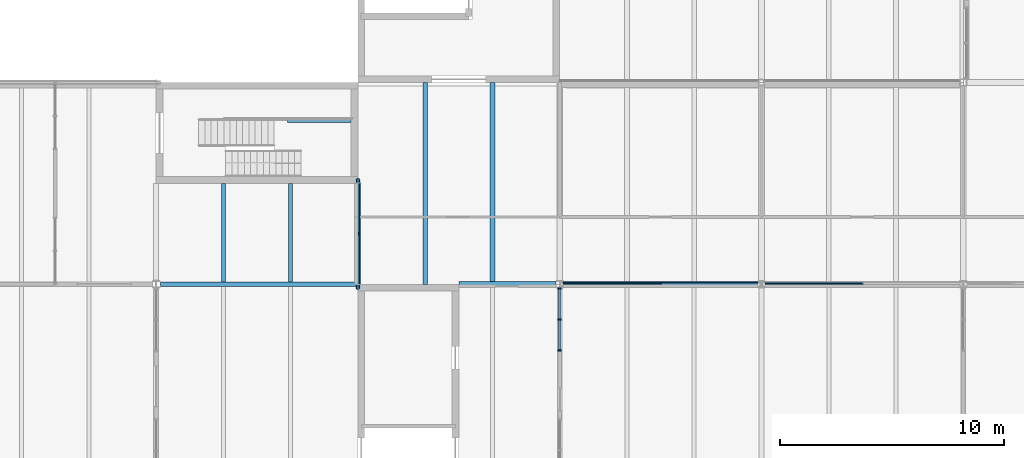
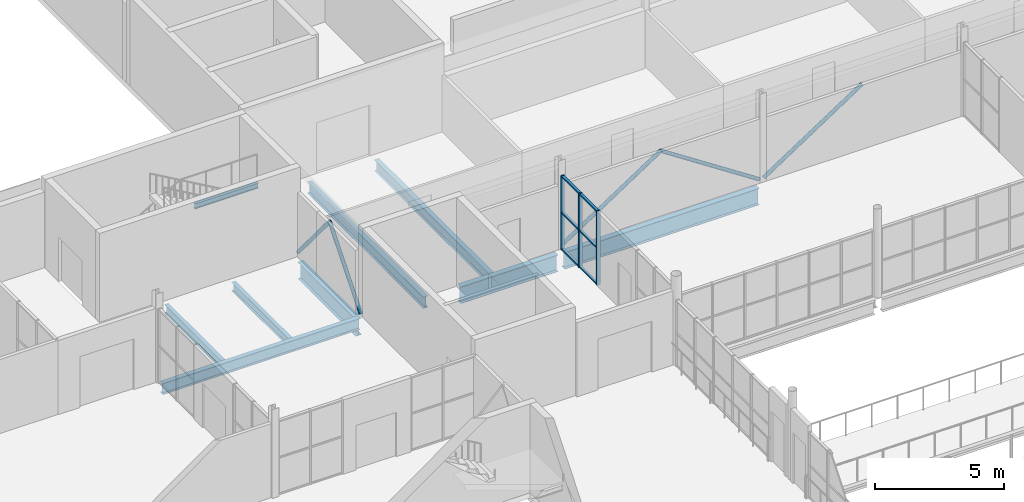
# One storey, part 28 of 61: 14 members, 9 beams, 1 element without a shape of its own.
"""IFC4 building model written with IfcOpenShell, lengths in metres."""

from ifc_helpers import new_model, si_unit, direction, frame, origin, origin_2d, place, context, subcontext, project, spatial, rectangle, hollow_circle, i_section, extrude, material, layer, layer_set, material_profile, profile_set, type_object, element, aggregate, save


model = new_model("IFC4")

# Units and contexts
model_context = context("Model", 3, precision=1e-05, world=origin(), true_north=direction((0.0, 1.0)))
body_context = subcontext(model_context, "Body", "Model", "MODEL_VIEW")
ifc_project = project(units=[si_unit("LENGTHUNIT", "METRE"), si_unit("AREAUNIT", "SQUARE_METRE"), si_unit("VOLUMEUNIT", "CUBIC_METRE"), si_unit("PLANEANGLEUNIT", "RADIAN"), si_unit("MASSUNIT", "GRAM", prefix="KILO")], contexts=[model_context])

# Site, building, storey
site_placement = place(None, origin())
site = spatial("IfcSite", under=ifc_project, at=site_placement, CompositionType="ELEMENT")
building_placement = place(site_placement, origin())
building = spatial("IfcBuilding", under=site, at=building_placement, Name="Halyard Row Museum", CompositionType="ELEMENT")
storey_placement = place(building_placement, frame((0.0, 0.0, 9.199951171875)))
storey = spatial("IfcBuildingStorey", under=building, at=storey_placement, Name="L02", CompositionType="ELEMENT", Elevation=9.199951171875)

# Members
ifc_material_1 = material(Name="Steel Grade C350L0", Category="steel")
ifc_material_profile_1 = material_profile(ifc_material_1, hollow_circle(Radius=0.084228515625, WallThickness=0.007080078125, at=origin_2d()), Name="168.3x7.1CHS")
ifc_profile_set_1 = profile_set([ifc_material_profile_1], Name="Steel Grade C350L0")
member_type_1 = type_object("IfcMemberType", Name="Brace 168.3x7.1CHS", PredefinedType="BRACE", material=ifc_profile_set_1)
for number, where, z_axis, x_axis, name in (
    (1, (72.0, 35.830078125, 0.084228515625), (0.0, 0.640387731415, 0.768051790866), (-1.0, 0.0, 0.0), "Brace L02 X72 36-40.5 A"),
    (2, (72.0, 40.669921875, 0.084228515625), (0.0, -0.640387731415, 0.768051790866), (1.0, 0.0, 0.0), "Brace L02 X72 36-40.5 B"),
):
    element("IfcMember", number, at=place(storey_placement, frame(where, z_axis=z_axis, x_axis=x_axis)), inside=storey, type_object=member_type_1, Name=name, PredefinedType="BRACE", context=body_context, shape_type="SweptSolid", body=[
        extrude(hollow_circle(Radius=0.084228515625, WallThickness=0.007080078125, at=origin_2d()), origin(), (0.0, 0.0, 1.0), 3.77880859375),
    ])
member_1_placement = place(storey_placement, frame((81.1044921875, 36.0, 0.084228515625), z_axis=(0.835922766235, 0.0, 0.548847090628), x_axis=(0.0, 1.0, 0.0)))
element("IfcMember", 3, at=member_1_placement, inside=storey, type_object=member_type_1, Name="Brace L02 Y36 81-90 A", PredefinedType="BRACE", context=body_context, shape_type="SweptSolid", body=[
    extrude(hollow_circle(Radius=0.084228515625, WallThickness=0.007080078125, at=origin_2d()), origin(), (0.0, 0.0, 1.0), 5.25830078125),
])
for number, where, z_axis, x_axis, name in (
    (4, (89.8974609375, 36.0, 0.084228515625), (-0.83603460378, 0.0, 0.54867671837), (0.0, -1.0, 0.0), "Brace L02 Y36 81-90 B"),
    (5, (90.1025390625, 36.0, 0.084228515625), (0.83603460378, 0.0, 0.54867671837), (0.0, 1.0, 0.0), "Brace L02 Y36 90-99 A"),
):
    element("IfcMember", number, at=place(storey_placement, frame(where, z_axis=z_axis, x_axis=x_axis)), inside=storey, type_object=member_type_1, Name=name, PredefinedType="BRACE", context=body_context, shape_type="SweptSolid", body=[
        extrude(hollow_circle(Radius=0.084228515625, WallThickness=0.007080078125, at=origin_2d()), origin(), (0.0, 0.0, 1.0), 5.260009765625),
    ])

# Curtain wall, members
ifc_material_2 = material(Name="Fire-resisting laminated glazing", Category="glass")
ifc_layer = layer(ifc_material_2, 0.159912109375)
ifc_layer_set = layer_set([ifc_layer], Name="Fire-resisting laminated glazing")
curtain_wall_type = type_object("IfcCurtainWallType", Name="Curtain wall atrium screen 160 deep", PredefinedType="NOTDEFINED", material=ifc_layer_set)
curtain_wall_placement = place(storey_placement, origin())
curtain_wall = element("IfcCurtainWall", 6, at=curtain_wall_placement, inside=storey, type_object=curtain_wall_type, Name="Curtain wall CW173", PredefinedType="NOTDEFINED")
ifc_material_3 = material(Name="Powder-coated aluminium section", Category="aluminium")
ifc_material_profile_2 = material_profile(ifc_material_3, rectangle(XDim=0.159912109375, YDim=0.06005859375, at=origin_2d()), Name="160x60 mullion")
ifc_profile_set_2 = profile_set([ifc_material_profile_2], Name="Powder-coated aluminium section")
member_type_2 = type_object("IfcMemberType", Name="Curtain wall mullion CM5 60 x 160", PredefinedType="MULLION", material=ifc_profile_set_2)
member_2_placement = place(storey_placement, frame((81.0, 33.051513671875, 0.0), z_axis=(0.0, 0.0, 1.0), x_axis=(-1.0, 0.0, 0.0)))
member_2 = element("IfcMember", 7, at=member_2_placement, type_object=member_type_2, Name="CW173 mullion 1", PredefinedType="MULLION", context=body_context, shape_type="SweptSolid", body=[
    extrude(rectangle(XDim=0.159912109375, YDim=0.06005859375, at=origin_2d()), origin(), (0.0, 0.0, 1.0), 3.501953125),
])
member_3_placement = place(storey_placement, frame((81.0, 34.4306640625, 0.0), z_axis=(0.0, 0.0, 1.0), x_axis=(-1.0, 0.0, 0.0)))
member_3 = element("IfcMember", 8, at=member_3_placement, type_object=member_type_2, Name="CW173 mullion 2", PredefinedType="MULLION", context=body_context, shape_type="SweptSolid", body=[
    extrude(rectangle(XDim=0.159912109375, YDim=0.06005859375, at=origin_2d()), origin(), (0.0, 0.0, 1.0), 3.501953125),
])
member_4_placement = place(storey_placement, frame((81.0, 35.809814453125, 0.0), z_axis=(0.0, 0.0, 1.0), x_axis=(-1.0, 0.0, 0.0)))
member_4 = element("IfcMember", 9, at=member_4_placement, type_object=member_type_2, Name="CW173 mullion 3", PredefinedType="MULLION", context=body_context, shape_type="SweptSolid", body=[
    extrude(rectangle(XDim=0.159912109375, YDim=0.06005859375, at=origin_2d()), origin(), (0.0, 0.0, 1.0), 3.501953125),
])
ifc_material_4 = material(Name="Powder-coated aluminium section", Category="aluminium")
ifc_material_profile_3 = material_profile(ifc_material_4, rectangle(XDim=0.1201171875, YDim=0.06005859375, at=origin_2d()), Name="120x60 transom")
ifc_profile_set_3 = profile_set([ifc_material_profile_3], Name="Powder-coated aluminium section")
member_type_3 = type_object("IfcMemberType", Name="Curtain wall transom CT5 60 x 120", PredefinedType="USERDEFINED", material=ifc_profile_set_3)
member_5_placement = place(storey_placement, frame((81.0, 33.08154296875, 0.030029296875), z_axis=(0.0, 1.0, 0.0), x_axis=(-1.0, 0.0, 0.0)))
member_5 = element("IfcMember", 10, at=member_5_placement, type_object=member_type_3, Name="CW173 transom 1.1", ObjectType="TRANSOM", PredefinedType="USERDEFINED", context=body_context, shape_type="SweptSolid", body=[
    extrude(rectangle(XDim=0.1201171875, YDim=0.06005859375, at=origin_2d()), origin(), (0.0, 0.0, 1.0), 1.319091796875),
])
member_6_placement = place(storey_placement, frame((81.0, 33.08154296875, 1.7509765625), z_axis=(0.0, 1.0, 0.0), x_axis=(-1.0, 0.0, 0.0)))
member_6 = element("IfcMember", 11, at=member_6_placement, type_object=member_type_3, Name="CW173 transom 1.2", ObjectType="TRANSOM", PredefinedType="USERDEFINED", context=body_context, shape_type="SweptSolid", body=[
    extrude(rectangle(XDim=0.1201171875, YDim=0.06005859375, at=origin_2d()), origin(), (0.0, 0.0, 1.0), 1.319091796875),
])
member_7_placement = place(storey_placement, frame((81.0, 33.08154296875, 3.47216796875), z_axis=(0.0, 1.0, 0.0), x_axis=(-1.0, 0.0, 0.0)))
member_7 = element("IfcMember", 12, at=member_7_placement, type_object=member_type_3, Name="CW173 transom 1.3", ObjectType="TRANSOM", PredefinedType="USERDEFINED", context=body_context, shape_type="SweptSolid", body=[
    extrude(rectangle(XDim=0.1201171875, YDim=0.06005859375, at=origin_2d()), origin(), (0.0, 0.0, 1.0), 1.319091796875),
])
member_8_placement = place(storey_placement, frame((81.0, 34.460693359375, 0.030029296875), z_axis=(0.0, 1.0, 0.0), x_axis=(-1.0, 0.0, 0.0)))
member_8 = element("IfcMember", 13, at=member_8_placement, type_object=member_type_3, Name="CW173 transom 2.1", ObjectType="TRANSOM", PredefinedType="USERDEFINED", context=body_context, shape_type="SweptSolid", body=[
    extrude(rectangle(XDim=0.1201171875, YDim=0.06005859375, at=origin_2d()), origin(), (0.0, 0.0, 1.0), 1.319091796875),
])
member_9_placement = place(storey_placement, frame((81.0, 34.460693359375, 1.7509765625), z_axis=(0.0, 1.0, 0.0), x_axis=(-1.0, 0.0, 0.0)))
member_9 = element("IfcMember", 14, at=member_9_placement, type_object=member_type_3, Name="CW173 transom 2.2", ObjectType="TRANSOM", PredefinedType="USERDEFINED", context=body_context, shape_type="SweptSolid", body=[
    extrude(rectangle(XDim=0.1201171875, YDim=0.06005859375, at=origin_2d()), origin(), (0.0, 0.0, 1.0), 1.319091796875),
])
member_10_placement = place(storey_placement, frame((81.0, 34.460693359375, 3.47216796875), z_axis=(0.0, 1.0, 0.0), x_axis=(-1.0, 0.0, 0.0)))
member_10 = element("IfcMember", 15, at=member_10_placement, type_object=member_type_3, Name="CW173 transom 2.3", ObjectType="TRANSOM", PredefinedType="USERDEFINED", context=body_context, shape_type="SweptSolid", body=[
    extrude(rectangle(XDim=0.1201171875, YDim=0.06005859375, at=origin_2d()), origin(), (0.0, 0.0, 1.0), 1.319091796875),
])
aggregate(curtain_wall, [member_2, member_3, member_4, member_5, member_6, member_7, member_8, member_9, member_10])

# Beams
ifc_material_5 = material(Name="Steel Grade 300", Category="steel")
ifc_material_profile_4 = material_profile(ifc_material_5, i_section(OverallWidth=0.208984375, OverallDepth=0.532958984375, WebThickness=0.01025390625, FlangeThickness=0.015625, FilletRadius=0.013916015625, at=origin_2d()), Name="530UB92.4")
ifc_profile_set_4 = profile_set([ifc_material_profile_4], Name="Steel Grade 300")
beam_type_1 = type_object("IfcBeamType", Name="Girder beam 530UB92.4", PredefinedType="BEAM", material=ifc_profile_set_4)
beam_1_placement = place(storey_placement, frame((63.199951171875, 36.0, -0.431396484375), z_axis=(1.0, 0.0, 0.0), x_axis=(0.0, 1.0, 0.0)))
element("IfcBeam", 16, at=beam_1_placement, inside=storey, type_object=beam_type_1, Name="Beam L02-030", PredefinedType="BEAM", context=body_context, shape_type="SweptSolid", body=[
    extrude(i_section(OverallWidth=0.208984375, OverallDepth=0.532958984375, WebThickness=0.01025390625, FlangeThickness=0.015625, FilletRadius=0.013916015625, at=origin_2d()), origin(), (0.0, 0.0, 1.0), 8.800048828125),
])
ifc_material_6 = material(Name="Steel Grade 300", Category="steel")
ifc_material_profile_5 = material_profile(ifc_material_6, i_section(OverallWidth=0.25, OverallDepth=0.7919921875, WebThickness=0.010009765625, FlangeThickness=0.01611328125, at=origin_2d()), Name="800WB122")
ifc_profile_set_5 = profile_set([ifc_material_profile_5], Name="Steel Grade 300")
beam_type_2 = type_object("IfcBeamType", Name="Girder beam 800WB122 (lowered 85)", PredefinedType="BEAM", material=ifc_profile_set_5)
beam_2_placement = place(storey_placement, frame((76.5, 36.0, -0.64599609375), z_axis=(1.0, 0.0, 0.0), x_axis=(0.0, 1.0, 0.0)))
element("IfcBeam", 17, at=beam_2_placement, inside=storey, type_object=beam_type_2, Name="Beam L02-031", PredefinedType="BEAM", context=body_context, shape_type="SweptSolid", body=[
    extrude(i_section(OverallWidth=0.25, OverallDepth=0.7919921875, WebThickness=0.010009765625, FlangeThickness=0.01611328125, at=origin_2d()), origin(), (0.0, 0.0, 1.0), 4.344482421875),
])
beam_3_placement = place(storey_placement, frame((81.155517578125, 36.0, -0.64599609375), z_axis=(1.0, 0.0, 0.0), x_axis=(0.0, 1.0, 0.0)))
element("IfcBeam", 18, at=beam_3_placement, inside=storey, type_object=beam_type_2, Name="Beam L02-032", PredefinedType="BEAM", context=body_context, shape_type="SweptSolid", body=[
    extrude(i_section(OverallWidth=0.25, OverallDepth=0.7919921875, WebThickness=0.010009765625, FlangeThickness=0.01611328125, at=origin_2d()), origin(), (0.0, 0.0, 1.0), 8.68994140625),
])
beam_4_placement = place(storey_placement, frame((72.0, 36.0, -0.64599609375), z_axis=(0.0, 1.0, 0.0), x_axis=(-1.0, 0.0, 0.0)))
element("IfcBeam", 19, at=beam_4_placement, inside=storey, type_object=beam_type_2, Name="Beam L02-066", PredefinedType="BEAM", context=body_context, shape_type="SweptSolid", body=[
    extrude(i_section(OverallWidth=0.25, OverallDepth=0.7919921875, WebThickness=0.010009765625, FlangeThickness=0.01611328125, at=origin_2d()), origin(), (0.0, 0.0, 1.0), 4.5),
])
ifc_material_7 = material(Name="Steel Grade 300", Category="steel")
ifc_material_profile_6 = material_profile(ifc_material_7, i_section(OverallWidth=0.1240234375, OverallDepth=0.248046875, WebThickness=0.0048828125, FlangeThickness=0.008056640625, FilletRadius=0.011962890625, at=origin_2d()), Name="250UB25.7")
ifc_profile_set_6 = profile_set([ifc_material_profile_6], Name="Steel Grade 300")
beam_type_3 = type_object("IfcBeamType", Name="Landing trimmer 250UB25.7", PredefinedType="BEAM", material=ifc_profile_set_6)
beam_5_placement = place(storey_placement, frame((71.702880859375, 43.278076171875, 1.776123046875), z_axis=(-1.0, 0.0, 0.0), x_axis=(0.0, -1.0, 0.0)))
element("IfcBeam", 20, at=beam_5_placement, inside=storey, type_object=beam_type_3, Name="Landing ledger K1B L02 1", PredefinedType="BEAM", context=body_context, shape_type="SweptSolid", body=[
    extrude(i_section(OverallWidth=0.1240234375, OverallDepth=0.248046875, WebThickness=0.0048828125, FlangeThickness=0.008056640625, FilletRadius=0.011962890625, at=origin_2d()), origin(), (0.0, 0.0, 1.0), 2.852783203125),
])
ifc_material_8 = material(Name="Steel Grade 300", Category="steel")
ifc_material_profile_7 = material_profile(ifc_material_8, i_section(OverallWidth=0.177978515625, OverallDepth=0.406494140625, WebThickness=0.0078125, FlangeThickness=0.0126953125, FilletRadius=0.011474609375, at=origin_2d()), Name="410UB59.7")
ifc_profile_set_7 = profile_set([ifc_material_profile_7], Name="Steel Grade 300")
beam_type_4 = type_object("IfcBeamType", Name="Secondary beam 410UB59.7", PredefinedType="BEAM", material=ifc_profile_set_7)
for number, where, z_axis, x_axis, name in (
    (21, (66.0, 36.1044921875, -0.3681640625), (0.0, 1.0, 0.0), (-1.0, 0.0, 0.0), "Beam L02-143"),
    (22, (69.0, 36.1044921875, -0.3681640625), (0.0, 1.0, 0.0), (-1.0, 0.0, 0.0), "Beam L02-144"),
):
    element("IfcBeam", number, at=place(storey_placement, frame(where, z_axis=z_axis, x_axis=x_axis)), inside=storey, type_object=beam_type_4, Name=name, PredefinedType="BEAM", context=body_context, shape_type="SweptSolid", body=[
        extrude(i_section(OverallWidth=0.177978515625, OverallDepth=0.406494140625, WebThickness=0.0078125, FlangeThickness=0.0126953125, FilletRadius=0.011474609375, at=origin_2d()), origin(), (0.0, 0.0, 1.0), 4.3955078125),
    ])
ifc_material_9 = material(Name="Steel Grade 300", Category="steel")
ifc_material_profile_8 = material_profile(ifc_material_9, i_section(OverallWidth=0.208984375, OverallDepth=0.5283203125, WebThickness=0.009521484375, FlangeThickness=0.01318359375, FilletRadius=0.013916015625, at=origin_2d()), Name="530UB82.0")
ifc_profile_set_8 = profile_set([ifc_material_profile_8], Name="Steel Grade 300")
beam_type_5 = type_object("IfcBeamType", Name="Secondary beam 530UB82.0 (lowered 85)", PredefinedType="BEAM", material=ifc_profile_set_8)
beam_6_placement = place(storey_placement, frame((75.0, 36.0, -0.51416015625), z_axis=(0.0, 1.0, 0.0), x_axis=(-1.0, 0.0, 0.0)))
element("IfcBeam", 23, at=beam_6_placement, inside=storey, type_object=beam_type_5, Name="Beam L02-133", PredefinedType="BEAM", context=body_context, shape_type="SweptSolid", body=[
    extrude(i_section(OverallWidth=0.208984375, OverallDepth=0.5283203125, WebThickness=0.009521484375, FlangeThickness=0.01318359375, FilletRadius=0.013916015625, at=origin_2d()), origin(), (0.0, 0.0, 1.0), 9.0),
])
beam_7_placement = place(storey_placement, frame((78.0, 36.125, -0.51416015625), z_axis=(0.0, 1.0, 0.0), x_axis=(-1.0, 0.0, 0.0)))
element("IfcBeam", 24, at=beam_7_placement, inside=storey, type_object=beam_type_5, Name="Beam L02-145", PredefinedType="BEAM", context=body_context, shape_type="SweptSolid", body=[
    extrude(i_section(OverallWidth=0.208984375, OverallDepth=0.5283203125, WebThickness=0.009521484375, FlangeThickness=0.01318359375, FilletRadius=0.013916015625, at=origin_2d()), origin(), (0.0, 0.0, 1.0), 8.875),
])

save(model, "model.ifc")
